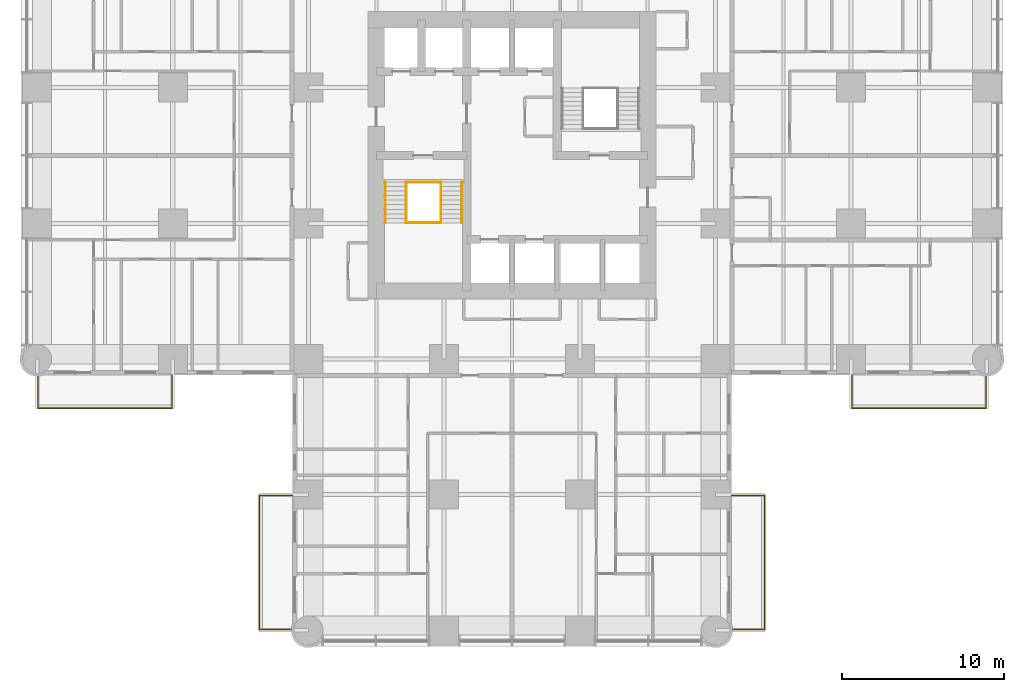
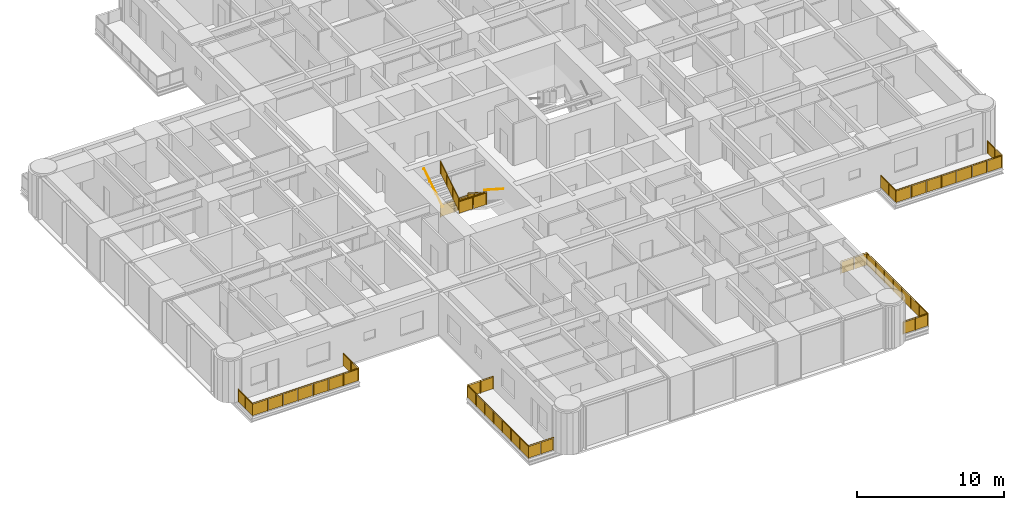
# One storey, part 16 of 17: 10 railings.
"""IFC4 building model written with IfcOpenShell, lengths in metres."""

from ifc_helpers import new_model, si_unit, direction, frame, origin, origin_2d, place, context, subcontext, project, spatial, polyline, circle, outline, extrude, material, constituent, constituent_set, type_object, element, save


model = new_model("IFC4")

# Units and contexts
model_context = context("Model", 3, precision=1e-05, world=origin(), true_north=direction((0.0, 1.0)))
body_context = subcontext(model_context, "Body", "Model", "MODEL_VIEW")
ifc_project = project(units=[si_unit("LENGTHUNIT", "METRE"), si_unit("AREAUNIT", "SQUARE_METRE"), si_unit("VOLUMEUNIT", "CUBIC_METRE"), si_unit("PLANEANGLEUNIT", "RADIAN"), si_unit("MASSUNIT", "GRAM", prefix="KILO")], contexts=[model_context])

# Site, building, storey
site_placement = place(None, origin())
site = spatial("IfcSite", under=ifc_project, at=site_placement, CompositionType="ELEMENT")
building_placement = place(site_placement, origin())
building = spatial("IfcBuilding", under=site, at=building_placement, Name="Torre Alcanfor", CompositionType="ELEMENT")
storey_placement = place(building_placement, frame((0.0, 0.0, 59.699951171875)))
storey = spatial("IfcBuildingStorey", under=building, at=storey_placement, Name="L14", CompositionType="ELEMENT", Elevation=59.699951171875)

# Railings
ifc_material_1 = material(Name="Laminated safety glass", Category="glass")
ifc_constituent_1 = constituent(ifc_material_1, Name="Infill")
ifc_material_2 = material(Name="Stainless steel ASTM A554 Grade MT 316L tube", Category="steel")
ifc_constituent_2 = constituent(ifc_material_2, Name="Posts and rail")
ifc_constituent_set = constituent_set(constituents=[ifc_constituent_1, ifc_constituent_2], Name="Balcony guard glass 1100")
railing_type_1 = type_object("IfcRailingType", Name="Balcony guard glass 1100", PredefinedType="BALUSTRADE", material=ifc_constituent_set)
railing_1_placement = place(storey_placement, frame((50.449951171875, 15.800048828125, 0.0)))
element("IfcRailing", 1, at=railing_1_placement, inside=storey, type_object=railing_type_1, Name="Balcony guard L14-E2", PredefinedType="BALUSTRADE", context=body_context, shape_type="SweptSolid", body=[
    extrude(circle(Radius=0.02392578125, at=origin_2d()), frame((0.0, 0.0, 1.076171875), z_axis=(0.0, -1.0, 0.0), x_axis=(1.0, 0.0, 0.0)), (0.0, 0.0, 1.0), 2.050048828125),
    extrude(circle(Radius=0.02392578125, at=origin_2d()), frame((0.0, -2.050048828125, 1.076171875), z_axis=(1.0, 0.0, 0.0), x_axis=(0.0, 1.0, 0.0)), (0.0, 0.0, 1.0), 8.300048828125),
    extrude(circle(Radius=0.02392578125, at=origin_2d()), frame((8.300048828125, -2.050048828125, 1.076171875), z_axis=(0.0, 1.0, 0.0), x_axis=(-1.0, 0.0, 0.0)), (0.0, 0.0, 1.0), 1.968994140625),
    extrude(circle(Radius=0.02099609375, at=origin_2d()), origin(), (0.0, 0.0, 1.0), 1.052001953125),
    extrude(circle(Radius=0.02099609375, at=origin_2d()), frame((0.0, -1.02490234375, 0.0)), (0.0, 0.0, 1.0), 1.052001953125),
    extrude(circle(Radius=0.02099609375, at=origin_2d()), frame((0.0, -2.050048828125, 0.0)), (0.0, 0.0, 1.0), 1.052001953125),
    extrude(circle(Radius=0.02099609375, at=origin_2d()), frame((1.185791015625, -2.050048828125, 0.0)), (0.0, 0.0, 1.0), 1.052001953125),
    extrude(circle(Radius=0.02099609375, at=origin_2d()), frame((2.371337890625, -2.050048828125, 0.0)), (0.0, 0.0, 1.0), 1.052001953125),
    extrude(circle(Radius=0.02099609375, at=origin_2d()), frame((3.55712890625, -2.050048828125, 0.0)), (0.0, 0.0, 1.0), 1.052001953125),
    extrude(circle(Radius=0.02099609375, at=origin_2d()), frame((4.742919921875, -2.050048828125, 0.0)), (0.0, 0.0, 1.0), 1.052001953125),
    extrude(circle(Radius=0.02099609375, at=origin_2d()), frame((5.9287109375, -2.050048828125, 0.0)), (0.0, 0.0, 1.0), 1.052001953125),
    extrude(circle(Radius=0.02099609375, at=origin_2d()), frame((7.1142578125, -2.050048828125, 0.0)), (0.0, 0.0, 1.0), 1.052001953125),
    extrude(circle(Radius=0.02099609375, at=origin_2d()), frame((8.300048828125, -2.050048828125, 0.0)), (0.0, 0.0, 1.0), 1.052001953125),
    extrude(circle(Radius=0.02099609375, at=origin_2d()), frame((8.300048828125, -1.0654296875, 0.0)), (0.0, 0.0, 1.0), 1.052001953125),
    extrude(circle(Radius=0.02099609375, at=origin_2d()), frame((8.300048828125, -0.0810546875, 0.0)), (0.0, 0.0, 1.0), 1.052001953125),
    extrude(outline(polyline([(0.041015625, 0.050048828125), (0.984130859375, 0.050048828125), (0.984130859375, 1.001953125), (0.041015625, 1.001953125), (0.041015625, 0.050048828125)])), frame((0.005859375, 0.0, 0.0), z_axis=(-1.0, 0.0, 0.0), x_axis=(0.0, -1.0, 0.0)), (0.0, 0.0, 1.0), 0.011962890625),
    extrude(outline(polyline([(1.06591796875, 0.050048828125), (2.009033203125, 0.050048828125), (2.009033203125, 1.001953125), (1.06591796875, 1.001953125), (1.06591796875, 0.050048828125)])), frame((0.005859375, 0.0, 0.0), z_axis=(-1.0, 0.0, 0.0), x_axis=(0.0, -1.0, 0.0)), (0.0, 0.0, 1.0), 0.011962890625),
    extrude(outline(polyline([(0.041015625, 0.050048828125), (1.144775390625, 0.050048828125), (1.144775390625, 1.001953125), (0.041015625, 1.001953125), (0.041015625, 0.050048828125)])), frame((0.0, -2.0439453125, 0.0), z_axis=(0.0, -1.0, 0.0), x_axis=(1.0, 0.0, 0.0)), (0.0, 0.0, 1.0), 0.011962890625),
    extrude(outline(polyline([(1.226806640625, 0.050048828125), (2.330322265625, 0.050048828125), (2.330322265625, 1.001953125), (1.226806640625, 1.001953125), (1.226806640625, 0.050048828125)])), frame((0.0, -2.0439453125, 0.0), z_axis=(0.0, -1.0, 0.0), x_axis=(1.0, 0.0, 0.0)), (0.0, 0.0, 1.0), 0.011962890625),
    extrude(outline(polyline([(2.412353515625, 0.050048828125), (3.51611328125, 0.050048828125), (3.51611328125, 1.001953125), (2.412353515625, 1.001953125), (2.412353515625, 0.050048828125)])), frame((0.0, -2.0439453125, 0.0), z_axis=(0.0, -1.0, 0.0), x_axis=(1.0, 0.0, 0.0)), (0.0, 0.0, 1.0), 0.011962890625),
    extrude(outline(polyline([(3.59814453125, 0.050048828125), (4.701904296875, 0.050048828125), (4.701904296875, 1.001953125), (3.59814453125, 1.001953125), (3.59814453125, 0.050048828125)])), frame((0.0, -2.0439453125, 0.0), z_axis=(0.0, -1.0, 0.0), x_axis=(1.0, 0.0, 0.0)), (0.0, 0.0, 1.0), 0.011962890625),
    extrude(outline(polyline([(4.783935546875, 0.050048828125), (5.8876953125, 0.050048828125), (5.8876953125, 1.001953125), (4.783935546875, 1.001953125), (4.783935546875, 0.050048828125)])), frame((0.0, -2.0439453125, 0.0), z_axis=(0.0, -1.0, 0.0), x_axis=(1.0, 0.0, 0.0)), (0.0, 0.0, 1.0), 0.011962890625),
    extrude(outline(polyline([(5.9697265625, 0.050048828125), (7.0732421875, 0.050048828125), (7.0732421875, 1.001953125), (5.9697265625, 1.001953125), (5.9697265625, 0.050048828125)])), frame((0.0, -2.0439453125, 0.0), z_axis=(0.0, -1.0, 0.0), x_axis=(1.0, 0.0, 0.0)), (0.0, 0.0, 1.0), 0.011962890625),
    extrude(outline(polyline([(7.1552734375, 0.050048828125), (8.259033203125, 0.050048828125), (8.259033203125, 1.001953125), (7.1552734375, 1.001953125), (7.1552734375, 0.050048828125)])), frame((0.0, -2.0439453125, 0.0), z_axis=(0.0, -1.0, 0.0), x_axis=(1.0, 0.0, 0.0)), (0.0, 0.0, 1.0), 0.011962890625),
    extrude(outline(polyline([(0.041015625, 0.050048828125), (0.943603515625, 0.050048828125), (0.943603515625, 1.001953125), (0.041015625, 1.001953125), (0.041015625, 0.050048828125)])), frame((8.2939453125, -2.050048828125, 0.0), z_axis=(1.0, 0.0, 0.0), x_axis=(0.0, 1.0, 0.0)), (0.0, 0.0, 1.0), 0.011962890625),
    extrude(outline(polyline([(1.025390625, 0.050048828125), (1.927978515625, 0.050048828125), (1.927978515625, 1.001953125), (1.025390625, 1.001953125), (1.025390625, 0.050048828125)])), frame((8.2939453125, -2.050048828125, 0.0), z_axis=(1.0, 0.0, 0.0), x_axis=(0.0, 1.0, 0.0)), (0.0, 0.0, 1.0), 0.011962890625),
])
railing_2_placement = place(storey_placement, frame((43.0, 8.35009765625, 0.0)))
element("IfcRailing", 2, at=railing_2_placement, inside=storey, type_object=railing_type_1, Name="Balcony guard L14-S1", PredefinedType="BALUSTRADE", context=body_context, shape_type="SweptSolid", body=[
    extrude(circle(Radius=0.02392578125, at=origin_2d()), frame((0.0, 0.0, 1.076171875), z_axis=(1.0, 0.0, 0.0), x_axis=(0.0, 1.0, 0.0)), (0.0, 0.0, 1.0), 2.050048828125),
    extrude(circle(Radius=0.02392578125, at=origin_2d()), frame((2.050048828125, 0.0, 1.076171875), z_axis=(0.0, -1.0, 0.0), x_axis=(1.0, 0.0, 0.0)), (0.0, 0.0, 1.0), 8.300048828125),
    extrude(circle(Radius=0.02392578125, at=origin_2d()), frame((2.050048828125, -8.300048828125, 1.076171875), z_axis=(-1.0, 0.0, 0.0), x_axis=(0.0, -1.0, 0.0)), (0.0, 0.0, 1.0), 1.968994140625),
    extrude(circle(Radius=0.02099609375, at=origin_2d()), origin(), (0.0, 0.0, 1.0), 1.052001953125),
    extrude(circle(Radius=0.02099609375, at=origin_2d()), frame((1.02490234375, 0.0, 0.0)), (0.0, 0.0, 1.0), 1.052001953125),
    extrude(circle(Radius=0.02099609375, at=origin_2d()), frame((2.050048828125, 0.0, 0.0)), (0.0, 0.0, 1.0), 1.052001953125),
    extrude(circle(Radius=0.02099609375, at=origin_2d()), frame((2.050048828125, -1.185791015625, 0.0)), (0.0, 0.0, 1.0), 1.052001953125),
    extrude(circle(Radius=0.02099609375, at=origin_2d()), frame((2.050048828125, -2.371337890625, 0.0)), (0.0, 0.0, 1.0), 1.052001953125),
    extrude(circle(Radius=0.02099609375, at=origin_2d()), frame((2.050048828125, -3.55712890625, 0.0)), (0.0, 0.0, 1.0), 1.052001953125),
    extrude(circle(Radius=0.02099609375, at=origin_2d()), frame((2.050048828125, -4.742919921875, 0.0)), (0.0, 0.0, 1.0), 1.052001953125),
    extrude(circle(Radius=0.02099609375, at=origin_2d()), frame((2.050048828125, -5.9287109375, 0.0)), (0.0, 0.0, 1.0), 1.052001953125),
    extrude(circle(Radius=0.02099609375, at=origin_2d()), frame((2.050048828125, -7.1142578125, 0.0)), (0.0, 0.0, 1.0), 1.052001953125),
    extrude(circle(Radius=0.02099609375, at=origin_2d()), frame((2.050048828125, -8.300048828125, 0.0)), (0.0, 0.0, 1.0), 1.052001953125),
    extrude(circle(Radius=0.02099609375, at=origin_2d()), frame((1.0654296875, -8.300048828125, 0.0)), (0.0, 0.0, 1.0), 1.052001953125),
    extrude(circle(Radius=0.02099609375, at=origin_2d()), frame((0.0810546875, -8.300048828125, 0.0)), (0.0, 0.0, 1.0), 1.052001953125),
    extrude(outline(polyline([(0.041015625, 0.050048828125), (0.984130859375, 0.050048828125), (0.984130859375, 1.001953125), (0.041015625, 1.001953125), (0.041015625, 0.050048828125)])), frame((0.0, 0.005859375, 0.0), z_axis=(0.0, -1.0, 0.0), x_axis=(1.0, 0.0, 0.0)), (0.0, 0.0, 1.0), 0.011962890625),
    extrude(outline(polyline([(1.06591796875, 0.050048828125), (2.009033203125, 0.050048828125), (2.009033203125, 1.001953125), (1.06591796875, 1.001953125), (1.06591796875, 0.050048828125)])), frame((0.0, 0.005859375, 0.0), z_axis=(0.0, -1.0, 0.0), x_axis=(1.0, 0.0, 0.0)), (0.0, 0.0, 1.0), 0.011962890625),
    extrude(outline(polyline([(0.041015625, 0.050048828125), (1.144775390625, 0.050048828125), (1.144775390625, 1.001953125), (0.041015625, 1.001953125), (0.041015625, 0.050048828125)])), frame((2.05615234375, 0.0, 0.0), z_axis=(-1.0, 0.0, 0.0), x_axis=(0.0, -1.0, 0.0)), (0.0, 0.0, 1.0), 0.011962890625),
    extrude(outline(polyline([(1.226806640625, 0.050048828125), (2.330322265625, 0.050048828125), (2.330322265625, 1.001953125), (1.226806640625, 1.001953125), (1.226806640625, 0.050048828125)])), frame((2.05615234375, 0.0, 0.0), z_axis=(-1.0, 0.0, 0.0), x_axis=(0.0, -1.0, 0.0)), (0.0, 0.0, 1.0), 0.011962890625),
    extrude(outline(polyline([(2.412353515625, 0.050048828125), (3.51611328125, 0.050048828125), (3.51611328125, 1.001953125), (2.412353515625, 1.001953125), (2.412353515625, 0.050048828125)])), frame((2.05615234375, 0.0, 0.0), z_axis=(-1.0, 0.0, 0.0), x_axis=(0.0, -1.0, 0.0)), (0.0, 0.0, 1.0), 0.011962890625),
    extrude(outline(polyline([(3.59814453125, 0.050048828125), (4.701904296875, 0.050048828125), (4.701904296875, 1.001953125), (3.59814453125, 1.001953125), (3.59814453125, 0.050048828125)])), frame((2.05615234375, 0.0, 0.0), z_axis=(-1.0, 0.0, 0.0), x_axis=(0.0, -1.0, 0.0)), (0.0, 0.0, 1.0), 0.011962890625),
    extrude(outline(polyline([(4.783935546875, 0.050048828125), (5.8876953125, 0.050048828125), (5.8876953125, 1.001953125), (4.783935546875, 1.001953125), (4.783935546875, 0.050048828125)])), frame((2.05615234375, 0.0, 0.0), z_axis=(-1.0, 0.0, 0.0), x_axis=(0.0, -1.0, 0.0)), (0.0, 0.0, 1.0), 0.011962890625),
    extrude(outline(polyline([(5.9697265625, 0.050048828125), (7.0732421875, 0.050048828125), (7.0732421875, 1.001953125), (5.9697265625, 1.001953125), (5.9697265625, 0.050048828125)])), frame((2.05615234375, 0.0, 0.0), z_axis=(-1.0, 0.0, 0.0), x_axis=(0.0, -1.0, 0.0)), (0.0, 0.0, 1.0), 0.011962890625),
    extrude(outline(polyline([(7.1552734375, 0.050048828125), (8.259033203125, 0.050048828125), (8.259033203125, 1.001953125), (7.1552734375, 1.001953125), (7.1552734375, 0.050048828125)])), frame((2.05615234375, 0.0, 0.0), z_axis=(-1.0, 0.0, 0.0), x_axis=(0.0, -1.0, 0.0)), (0.0, 0.0, 1.0), 0.011962890625),
    extrude(outline(polyline([(0.041015625, 0.050048828125), (0.943603515625, 0.050048828125), (0.943603515625, 1.001953125), (0.041015625, 1.001953125), (0.041015625, 0.050048828125)])), frame((2.050048828125, -8.30615234375, 0.0), z_axis=(0.0, 1.0, 0.0), x_axis=(-1.0, 0.0, 0.0)), (0.0, 0.0, 1.0), 0.011962890625),
    extrude(outline(polyline([(1.025390625, 0.050048828125), (1.927978515625, 0.050048828125), (1.927978515625, 1.001953125), (1.025390625, 1.001953125), (1.025390625, 0.050048828125)])), frame((2.050048828125, -8.30615234375, 0.0), z_axis=(0.0, 1.0, 0.0), x_axis=(-1.0, 0.0, 0.0)), (0.0, 0.0, 1.0), 0.011962890625),
])
railing_3_placement = place(storey_placement, frame((15.800048828125, 8.35009765625, 0.0)))
element("IfcRailing", 3, at=railing_3_placement, inside=storey, type_object=railing_type_1, Name="Balcony guard L14-S2", PredefinedType="BALUSTRADE", context=body_context, shape_type="SweptSolid", body=[
    extrude(circle(Radius=0.02392578125, at=origin_2d()), frame((0.0, 0.0, 1.076171875), z_axis=(-1.0, 0.0, 0.0), x_axis=(0.0, -1.0, 0.0)), (0.0, 0.0, 1.0), 2.050048828125),
    extrude(circle(Radius=0.02392578125, at=origin_2d()), frame((-2.050048828125, 0.0, 1.076171875), z_axis=(0.0, -1.0, 0.0), x_axis=(1.0, 0.0, 0.0)), (0.0, 0.0, 1.0), 8.300048828125),
    extrude(circle(Radius=0.02392578125, at=origin_2d()), frame((-2.050048828125, -8.300048828125, 1.076171875), z_axis=(1.0, 0.0, 0.0), x_axis=(0.0, 1.0, 0.0)), (0.0, 0.0, 1.0), 1.968994140625),
    extrude(circle(Radius=0.02099609375, at=origin_2d()), origin(), (0.0, 0.0, 1.0), 1.052001953125),
    extrude(circle(Radius=0.02099609375, at=origin_2d()), frame((-1.02490234375, 0.0, 0.0)), (0.0, 0.0, 1.0), 1.052001953125),
    extrude(circle(Radius=0.02099609375, at=origin_2d()), frame((-2.050048828125, 0.0, 0.0)), (0.0, 0.0, 1.0), 1.052001953125),
    extrude(circle(Radius=0.02099609375, at=origin_2d()), frame((-2.050048828125, -1.185791015625, 0.0)), (0.0, 0.0, 1.0), 1.052001953125),
    extrude(circle(Radius=0.02099609375, at=origin_2d()), frame((-2.050048828125, -2.371337890625, 0.0)), (0.0, 0.0, 1.0), 1.052001953125),
    extrude(circle(Radius=0.02099609375, at=origin_2d()), frame((-2.050048828125, -3.55712890625, 0.0)), (0.0, 0.0, 1.0), 1.052001953125),
    extrude(circle(Radius=0.02099609375, at=origin_2d()), frame((-2.050048828125, -4.742919921875, 0.0)), (0.0, 0.0, 1.0), 1.052001953125),
    extrude(circle(Radius=0.02099609375, at=origin_2d()), frame((-2.050048828125, -5.9287109375, 0.0)), (0.0, 0.0, 1.0), 1.052001953125),
    extrude(circle(Radius=0.02099609375, at=origin_2d()), frame((-2.050048828125, -7.1142578125, 0.0)), (0.0, 0.0, 1.0), 1.052001953125),
    extrude(circle(Radius=0.02099609375, at=origin_2d()), frame((-2.050048828125, -8.300048828125, 0.0)), (0.0, 0.0, 1.0), 1.052001953125),
    extrude(circle(Radius=0.02099609375, at=origin_2d()), frame((-1.0654296875, -8.300048828125, 0.0)), (0.0, 0.0, 1.0), 1.052001953125),
    extrude(circle(Radius=0.02099609375, at=origin_2d()), frame((-0.0810546875, -8.300048828125, 0.0)), (0.0, 0.0, 1.0), 1.052001953125),
    extrude(outline(polyline([(0.041015625, 0.050048828125), (0.984130859375, 0.050048828125), (0.984130859375, 1.001953125), (0.041015625, 1.001953125), (0.041015625, 0.050048828125)])), frame((0.0, -0.005859375, 0.0), z_axis=(0.0, 1.0, 0.0), x_axis=(-1.0, 0.0, 0.0)), (0.0, 0.0, 1.0), 0.011962890625),
    extrude(outline(polyline([(1.06591796875, 0.050048828125), (2.009033203125, 0.050048828125), (2.009033203125, 1.001953125), (1.06591796875, 1.001953125), (1.06591796875, 0.050048828125)])), frame((0.0, -0.005859375, 0.0), z_axis=(0.0, 1.0, 0.0), x_axis=(-1.0, 0.0, 0.0)), (0.0, 0.0, 1.0), 0.011962890625),
    extrude(outline(polyline([(0.041015625, 0.050048828125), (1.144775390625, 0.050048828125), (1.144775390625, 1.001953125), (0.041015625, 1.001953125), (0.041015625, 0.050048828125)])), frame((-2.0439453125, 0.0, 0.0), z_axis=(-1.0, 0.0, 0.0), x_axis=(0.0, -1.0, 0.0)), (0.0, 0.0, 1.0), 0.011962890625),
    extrude(outline(polyline([(1.226806640625, 0.050048828125), (2.330322265625, 0.050048828125), (2.330322265625, 1.001953125), (1.226806640625, 1.001953125), (1.226806640625, 0.050048828125)])), frame((-2.0439453125, 0.0, 0.0), z_axis=(-1.0, 0.0, 0.0), x_axis=(0.0, -1.0, 0.0)), (0.0, 0.0, 1.0), 0.011962890625),
    extrude(outline(polyline([(2.412353515625, 0.050048828125), (3.51611328125, 0.050048828125), (3.51611328125, 1.001953125), (2.412353515625, 1.001953125), (2.412353515625, 0.050048828125)])), frame((-2.0439453125, 0.0, 0.0), z_axis=(-1.0, 0.0, 0.0), x_axis=(0.0, -1.0, 0.0)), (0.0, 0.0, 1.0), 0.011962890625),
    extrude(outline(polyline([(3.59814453125, 0.050048828125), (4.701904296875, 0.050048828125), (4.701904296875, 1.001953125), (3.59814453125, 1.001953125), (3.59814453125, 0.050048828125)])), frame((-2.0439453125, 0.0, 0.0), z_axis=(-1.0, 0.0, 0.0), x_axis=(0.0, -1.0, 0.0)), (0.0, 0.0, 1.0), 0.011962890625),
    extrude(outline(polyline([(4.783935546875, 0.050048828125), (5.8876953125, 0.050048828125), (5.8876953125, 1.001953125), (4.783935546875, 1.001953125), (4.783935546875, 0.050048828125)])), frame((-2.0439453125, 0.0, 0.0), z_axis=(-1.0, 0.0, 0.0), x_axis=(0.0, -1.0, 0.0)), (0.0, 0.0, 1.0), 0.011962890625),
    extrude(outline(polyline([(5.9697265625, 0.050048828125), (7.0732421875, 0.050048828125), (7.0732421875, 1.001953125), (5.9697265625, 1.001953125), (5.9697265625, 0.050048828125)])), frame((-2.0439453125, 0.0, 0.0), z_axis=(-1.0, 0.0, 0.0), x_axis=(0.0, -1.0, 0.0)), (0.0, 0.0, 1.0), 0.011962890625),
    extrude(outline(polyline([(7.1552734375, 0.050048828125), (8.259033203125, 0.050048828125), (8.259033203125, 1.001953125), (7.1552734375, 1.001953125), (7.1552734375, 0.050048828125)])), frame((-2.0439453125, 0.0, 0.0), z_axis=(-1.0, 0.0, 0.0), x_axis=(0.0, -1.0, 0.0)), (0.0, 0.0, 1.0), 0.011962890625),
    extrude(outline(polyline([(0.041015625, 0.050048828125), (0.943603515625, 0.050048828125), (0.943603515625, 1.001953125), (0.041015625, 1.001953125), (0.041015625, 0.050048828125)])), frame((-2.050048828125, -8.2939453125, 0.0), z_axis=(0.0, -1.0, 0.0), x_axis=(1.0, 0.0, 0.0)), (0.0, 0.0, 1.0), 0.011962890625),
    extrude(outline(polyline([(1.025390625, 0.050048828125), (1.927978515625, 0.050048828125), (1.927978515625, 1.001953125), (1.025390625, 1.001953125), (1.025390625, 0.050048828125)])), frame((-2.050048828125, -8.2939453125, 0.0), z_axis=(0.0, -1.0, 0.0), x_axis=(1.0, 0.0, 0.0)), (0.0, 0.0, 1.0), 0.011962890625),
])
railing_4_placement = place(storey_placement, frame((8.35009765625, 15.800048828125, 0.0)))
element("IfcRailing", 4, at=railing_4_placement, inside=storey, type_object=railing_type_1, Name="Balcony guard L14-W1", PredefinedType="BALUSTRADE", context=body_context, shape_type="SweptSolid", body=[
    extrude(circle(Radius=0.02392578125, at=origin_2d()), frame((0.0, 0.0, 1.076171875), z_axis=(0.0, -1.0, 0.0), x_axis=(1.0, 0.0, 0.0)), (0.0, 0.0, 1.0), 2.050048828125),
    extrude(circle(Radius=0.02392578125, at=origin_2d()), frame((0.0, -2.050048828125, 1.076171875), z_axis=(-1.0, 0.0, 0.0), x_axis=(0.0, -1.0, 0.0)), (0.0, 0.0, 1.0), 8.300048828125),
    extrude(circle(Radius=0.02392578125, at=origin_2d()), frame((-8.300048828125, -2.050048828125, 1.076171875), z_axis=(0.0, 1.0, 0.0), x_axis=(-1.0, 0.0, 0.0)), (0.0, 0.0, 1.0), 1.968994140625),
    extrude(circle(Radius=0.02099609375, at=origin_2d()), origin(), (0.0, 0.0, 1.0), 1.052001953125),
    extrude(circle(Radius=0.02099609375, at=origin_2d()), frame((0.0, -1.02490234375, 0.0)), (0.0, 0.0, 1.0), 1.052001953125),
    extrude(circle(Radius=0.02099609375, at=origin_2d()), frame((0.0, -2.050048828125, 0.0)), (0.0, 0.0, 1.0), 1.052001953125),
    extrude(circle(Radius=0.02099609375, at=origin_2d()), frame((-1.185791015625, -2.050048828125, 0.0)), (0.0, 0.0, 1.0), 1.052001953125),
    extrude(circle(Radius=0.02099609375, at=origin_2d()), frame((-2.371337890625, -2.050048828125, 0.0)), (0.0, 0.0, 1.0), 1.052001953125),
    extrude(circle(Radius=0.02099609375, at=origin_2d()), frame((-3.55712890625, -2.050048828125, 0.0)), (0.0, 0.0, 1.0), 1.052001953125),
    extrude(circle(Radius=0.02099609375, at=origin_2d()), frame((-4.742919921875, -2.050048828125, 0.0)), (0.0, 0.0, 1.0), 1.052001953125),
    extrude(circle(Radius=0.02099609375, at=origin_2d()), frame((-5.9287109375, -2.050048828125, 0.0)), (0.0, 0.0, 1.0), 1.052001953125),
    extrude(circle(Radius=0.02099609375, at=origin_2d()), frame((-7.1142578125, -2.050048828125, 0.0)), (0.0, 0.0, 1.0), 1.052001953125),
    extrude(circle(Radius=0.02099609375, at=origin_2d()), frame((-8.300048828125, -2.050048828125, 0.0)), (0.0, 0.0, 1.0), 1.052001953125),
    extrude(circle(Radius=0.02099609375, at=origin_2d()), frame((-8.300048828125, -1.0654296875, 0.0)), (0.0, 0.0, 1.0), 1.052001953125),
    extrude(circle(Radius=0.02099609375, at=origin_2d()), frame((-8.300048828125, -0.0810546875, 0.0)), (0.0, 0.0, 1.0), 1.052001953125),
    extrude(outline(polyline([(0.041015625, 0.050048828125), (0.984130859375, 0.050048828125), (0.984130859375, 1.001953125), (0.041015625, 1.001953125), (0.041015625, 0.050048828125)])), frame((0.005859375, 0.0, 0.0), z_axis=(-1.0, 0.0, 0.0), x_axis=(0.0, -1.0, 0.0)), (0.0, 0.0, 1.0), 0.011962890625),
    extrude(outline(polyline([(1.06591796875, 0.050048828125), (2.009033203125, 0.050048828125), (2.009033203125, 1.001953125), (1.06591796875, 1.001953125), (1.06591796875, 0.050048828125)])), frame((0.005859375, 0.0, 0.0), z_axis=(-1.0, 0.0, 0.0), x_axis=(0.0, -1.0, 0.0)), (0.0, 0.0, 1.0), 0.011962890625),
    extrude(outline(polyline([(0.041015625, 0.050048828125), (1.144775390625, 0.050048828125), (1.144775390625, 1.001953125), (0.041015625, 1.001953125), (0.041015625, 0.050048828125)])), frame((0.0, -2.05615234375, 0.0), z_axis=(0.0, 1.0, 0.0), x_axis=(-1.0, 0.0, 0.0)), (0.0, 0.0, 1.0), 0.011962890625),
    extrude(outline(polyline([(1.226806640625, 0.050048828125), (2.330322265625, 0.050048828125), (2.330322265625, 1.001953125), (1.226806640625, 1.001953125), (1.226806640625, 0.050048828125)])), frame((0.0, -2.05615234375, 0.0), z_axis=(0.0, 1.0, 0.0), x_axis=(-1.0, 0.0, 0.0)), (0.0, 0.0, 1.0), 0.011962890625),
    extrude(outline(polyline([(2.412353515625, 0.050048828125), (3.51611328125, 0.050048828125), (3.51611328125, 1.001953125), (2.412353515625, 1.001953125), (2.412353515625, 0.050048828125)])), frame((0.0, -2.05615234375, 0.0), z_axis=(0.0, 1.0, 0.0), x_axis=(-1.0, 0.0, 0.0)), (0.0, 0.0, 1.0), 0.011962890625),
    extrude(outline(polyline([(3.59814453125, 0.050048828125), (4.701904296875, 0.050048828125), (4.701904296875, 1.001953125), (3.59814453125, 1.001953125), (3.59814453125, 0.050048828125)])), frame((0.0, -2.05615234375, 0.0), z_axis=(0.0, 1.0, 0.0), x_axis=(-1.0, 0.0, 0.0)), (0.0, 0.0, 1.0), 0.011962890625),
    extrude(outline(polyline([(4.783935546875, 0.050048828125), (5.8876953125, 0.050048828125), (5.8876953125, 1.001953125), (4.783935546875, 1.001953125), (4.783935546875, 0.050048828125)])), frame((0.0, -2.05615234375, 0.0), z_axis=(0.0, 1.0, 0.0), x_axis=(-1.0, 0.0, 0.0)), (0.0, 0.0, 1.0), 0.011962890625),
    extrude(outline(polyline([(5.9697265625, 0.050048828125), (7.0732421875, 0.050048828125), (7.0732421875, 1.001953125), (5.9697265625, 1.001953125), (5.9697265625, 0.050048828125)])), frame((0.0, -2.05615234375, 0.0), z_axis=(0.0, 1.0, 0.0), x_axis=(-1.0, 0.0, 0.0)), (0.0, 0.0, 1.0), 0.011962890625),
    extrude(outline(polyline([(7.1552734375, 0.050048828125), (8.259033203125, 0.050048828125), (8.259033203125, 1.001953125), (7.1552734375, 1.001953125), (7.1552734375, 0.050048828125)])), frame((0.0, -2.05615234375, 0.0), z_axis=(0.0, 1.0, 0.0), x_axis=(-1.0, 0.0, 0.0)), (0.0, 0.0, 1.0), 0.011962890625),
    extrude(outline(polyline([(0.041015625, 0.050048828125), (0.943603515625, 0.050048828125), (0.943603515625, 1.001953125), (0.041015625, 1.001953125), (0.041015625, 0.050048828125)])), frame((-8.30615234375, -2.050048828125, 0.0), z_axis=(1.0, 0.0, 0.0), x_axis=(0.0, 1.0, 0.0)), (0.0, 0.0, 1.0), 0.011962890625),
    extrude(outline(polyline([(1.025390625, 0.050048828125), (1.927978515625, 0.050048828125), (1.927978515625, 1.001953125), (1.025390625, 1.001953125), (1.025390625, 0.050048828125)])), frame((-8.30615234375, -2.050048828125, 0.0), z_axis=(1.0, 0.0, 0.0), x_axis=(0.0, 1.0, 0.0)), (0.0, 0.0, 1.0), 0.011962890625),
])
ifc_material_3 = material(Name="Steel ASTM A500 Grade C hollow sections", Category="steel")
railing_type_2 = type_object("IfcRailingType", Name="Stair guard and handrail 1100", PredefinedType="GUARDRAIL", material=ifc_material_3)
railing_5_placement = place(storey_placement, frame((25.0, 27.75, 0.179931640625)))
element("IfcRailing", 5, at=railing_5_placement, inside=storey, type_object=railing_type_2, Name="Stair guard S1 L14 flight 1", PredefinedType="GUARDRAIL", context=body_context, shape_type="SweptSolid", body=[
    extrude(circle(Radius=0.02392578125, at=origin_2d()), frame((0.0, 0.0, 1.076171875), z_axis=(0.0, -0.841162588446, 0.540782303519), x_axis=(1.0, 0.0, 0.0)), (0.0, 0.0, 1.0), 2.995849609375),
    extrude(circle(Radius=0.02099609375, at=origin_2d()), origin(), (0.0, 0.0, 1.0), 1.052001953125),
    extrude(circle(Radius=0.02099609375, at=origin_2d()), frame((0.0, -0.840087890625, 0.5400390625)), (0.0, 0.0, 1.0), 1.052001953125),
    extrude(circle(Radius=0.02099609375, at=origin_2d()), frame((0.0, -1.679931640625, 1.080078125)), (0.0, 0.0, 1.0), 1.052001953125),
    extrude(circle(Radius=0.02099609375, at=origin_2d()), frame((0.0, -2.52001953125, 1.6201171875)), (0.0, 0.0, 1.0), 1.052001953125),
    extrude(outline(polyline([(0.041015625, 0.076416015625), (0.799072265625, 0.563720703125), (0.799072265625, 1.515625), (0.041015625, 1.0283203125), (0.041015625, 0.076416015625)])), frame((0.005859375, 0.0, 0.0), z_axis=(-1.0, 0.0, 0.0), x_axis=(0.0, -1.0, 0.0)), (0.0, 0.0, 1.0), 0.011962890625),
    extrude(outline(polyline([(0.881103515625, 0.616455078125), (1.638916015625, 1.103759765625), (1.638916015625, 2.0556640625), (0.881103515625, 1.568359375), (0.881103515625, 0.616455078125)])), frame((0.005859375, 0.0, 0.0), z_axis=(-1.0, 0.0, 0.0), x_axis=(0.0, -1.0, 0.0)), (0.0, 0.0, 1.0), 0.011962890625),
    extrude(outline(polyline([(1.720947265625, 1.156494140625), (2.47900390625, 1.643798828125), (2.47900390625, 2.595703125), (1.720947265625, 2.1083984375), (1.720947265625, 1.156494140625)])), frame((0.005859375, 0.0, 0.0), z_axis=(-1.0, 0.0, 0.0), x_axis=(0.0, -1.0, 0.0)), (0.0, 0.0, 1.0), 0.011962890625),
])
railing_6_placement = place(storey_placement, frame((22.85009765625, 25.22998046875, 1.97998046875)))
element("IfcRailing", 6, at=railing_6_placement, inside=storey, type_object=railing_type_2, Name="Stair guard S1 L14 flight 2", PredefinedType="GUARDRAIL", context=body_context, shape_type="SweptSolid", body=[
    extrude(circle(Radius=0.02392578125, at=origin_2d()), frame((0.0, 0.0, 1.076171875), z_axis=(0.0, 0.841162588446, 0.540782303519), x_axis=(-1.0, 0.0, 0.0)), (0.0, 0.0, 1.0), 2.995849609375),
    extrude(circle(Radius=0.02099609375, at=origin_2d()), origin(), (0.0, 0.0, 1.0), 1.052001953125),
    extrude(circle(Radius=0.02099609375, at=origin_2d()), frame((0.0, 0.840087890625, 0.5400390625)), (0.0, 0.0, 1.0), 1.052001953125),
    extrude(circle(Radius=0.02099609375, at=origin_2d()), frame((0.0, 1.679931640625, 1.080078125)), (0.0, 0.0, 1.0), 1.052001953125),
    extrude(circle(Radius=0.02099609375, at=origin_2d()), frame((0.0, 2.52001953125, 1.6201171875)), (0.0, 0.0, 1.0), 1.052001953125),
    extrude(outline(polyline([(0.041015625, 0.076416015625), (0.799072265625, 0.563720703125), (0.799072265625, 1.515625), (0.041015625, 1.0283203125), (0.041015625, 0.076416015625)])), frame((-0.005859375, 0.0, 0.0), z_axis=(1.0, 0.0, 0.0), x_axis=(0.0, 1.0, 0.0)), (0.0, 0.0, 1.0), 0.011962890625),
    extrude(outline(polyline([(0.881103515625, 0.616455078125), (1.638916015625, 1.103759765625), (1.638916015625, 2.0556640625), (0.881103515625, 1.568359375), (0.881103515625, 0.616455078125)])), frame((-0.005859375, 0.0, 0.0), z_axis=(1.0, 0.0, 0.0), x_axis=(0.0, 1.0, 0.0)), (0.0, 0.0, 1.0), 0.011962890625),
    extrude(outline(polyline([(1.720947265625, 1.156494140625), (2.47900390625, 1.643798828125), (2.47900390625, 2.595703125), (1.720947265625, 2.1083984375), (1.720947265625, 1.156494140625)])), frame((-0.005859375, 0.0, 0.0), z_axis=(1.0, 0.0, 0.0), x_axis=(0.0, 1.0, 0.0)), (0.0, 0.0, 1.0), 0.011962890625),
])
for number, where, name in (
    (7, (22.85009765625, 27.75, 0.0), "Stair well guard S1 L14 floor landing"),
    (8, (22.85009765625, 25.22998046875, 1.800048828125), "Stair well guard S1 L14 half landing"),
):
    element("IfcRailing", number, at=place(storey_placement, frame(where)), inside=storey, type_object=railing_type_2, Name=name, PredefinedType="GUARDRAIL", context=body_context, shape_type="SweptSolid", body=[
        extrude(circle(Radius=0.02392578125, at=origin_2d()), frame((0.0, 0.0, 1.076171875), z_axis=(1.0, 0.0, 0.0), x_axis=(0.0, 1.0, 0.0)), (0.0, 0.0, 1.0), 2.14990234375),
        extrude(circle(Radius=0.02099609375, at=origin_2d()), origin(), (0.0, 0.0, 1.0), 1.052001953125),
        extrude(circle(Radius=0.02099609375, at=origin_2d()), frame((1.074951171875, 0.0, 0.0)), (0.0, 0.0, 1.0), 1.052001953125),
        extrude(circle(Radius=0.02099609375, at=origin_2d()), frame((2.14990234375, 0.0, 0.0)), (0.0, 0.0, 1.0), 1.052001953125),
        extrude(outline(polyline([(0.041015625, 0.050048828125), (1.033935546875, 0.050048828125), (1.033935546875, 1.001953125), (0.041015625, 1.001953125), (0.041015625, 0.050048828125)])), frame((0.0, 0.005859375, 0.0), z_axis=(0.0, -1.0, 0.0), x_axis=(1.0, 0.0, 0.0)), (0.0, 0.0, 1.0), 0.011962890625),
        extrude(outline(polyline([(1.115966796875, 0.050048828125), (2.10888671875, 0.050048828125), (2.10888671875, 1.001953125), (1.115966796875, 1.001953125), (1.115966796875, 0.050048828125)])), frame((0.0, 0.005859375, 0.0), z_axis=(0.0, -1.0, 0.0), x_axis=(1.0, 0.0, 0.0)), (0.0, 0.0, 1.0), 0.011962890625),
    ])
ifc_material_4 = material(Name="Steel ASTM A500 Grade C hollow sections", Category="steel")
railing_type_3 = type_object("IfcRailingType", Name="Stair wall handrail 900", PredefinedType="HANDRAIL", material=ifc_material_4)
railing_7_placement = place(storey_placement, frame((26.284912109375, 27.75, 0.179931640625)))
element("IfcRailing", 9, at=railing_7_placement, inside=storey, type_object=railing_type_3, Name="Stair handrail S1 L14 flight 1", PredefinedType="HANDRAIL", context=body_context, shape_type="SweptSolid", body=[
    extrude(circle(Radius=0.02392578125, at=origin_2d()), frame((0.0, 0.0, 0.8759765625), z_axis=(0.0, -0.841162588446, 0.540782303519), x_axis=(1.0, 0.0, 0.0)), (0.0, 0.0, 1.0), 2.995849609375),
    extrude(circle(Radius=0.008056640625, at=origin_2d()), frame((0.0, 0.0, 0.8759765625), z_axis=(1.0, 0.0, 0.0), x_axis=(0.0, 0.0, 1.0)), (0.0, 0.0, 1.0), 0.06494140625),
    extrude(circle(Radius=0.008056640625, at=origin_2d()), frame((0.0, -0.840087890625, 1.416015625), z_axis=(1.0, 0.0, 0.0), x_axis=(0.0, 0.0, 1.0)), (0.0, 0.0, 1.0), 0.06494140625),
    extrude(circle(Radius=0.008056640625, at=origin_2d()), frame((0.0, -1.679931640625, 1.9560546875), z_axis=(1.0, 0.0, 0.0), x_axis=(0.0, 0.0, 1.0)), (0.0, 0.0, 1.0), 0.06494140625),
    extrude(circle(Radius=0.008056640625, at=origin_2d()), frame((0.0, -2.52001953125, 2.49609375), z_axis=(1.0, 0.0, 0.0), x_axis=(0.0, 0.0, 1.0)), (0.0, 0.0, 1.0), 0.06494140625),
])
railing_8_placement = place(storey_placement, frame((21.56494140625, 25.22998046875, 1.97998046875)))
element("IfcRailing", 10, at=railing_8_placement, inside=storey, type_object=railing_type_3, Name="Stair handrail S1 L14 flight 2", PredefinedType="HANDRAIL", context=body_context, shape_type="SweptSolid", body=[
    extrude(circle(Radius=0.02392578125, at=origin_2d()), frame((0.0, 0.0, 0.8759765625), z_axis=(0.0, 0.841162588446, 0.540782303519), x_axis=(-1.0, 0.0, 0.0)), (0.0, 0.0, 1.0), 2.995849609375),
    extrude(circle(Radius=0.008056640625, at=origin_2d()), frame((0.0, 0.0, 0.8759765625), z_axis=(-1.0, 0.0, 0.0), x_axis=(0.0, 0.0, 1.0)), (0.0, 0.0, 1.0), 0.06494140625),
    extrude(circle(Radius=0.008056640625, at=origin_2d()), frame((0.0, 0.840087890625, 1.416015625), z_axis=(-1.0, 0.0, 0.0), x_axis=(0.0, 0.0, 1.0)), (0.0, 0.0, 1.0), 0.06494140625),
    extrude(circle(Radius=0.008056640625, at=origin_2d()), frame((0.0, 1.679931640625, 1.9560546875), z_axis=(-1.0, 0.0, 0.0), x_axis=(0.0, 0.0, 1.0)), (0.0, 0.0, 1.0), 0.06494140625),
    extrude(circle(Radius=0.008056640625, at=origin_2d()), frame((0.0, 2.52001953125, 2.49609375), z_axis=(-1.0, 0.0, 0.0), x_axis=(0.0, 0.0, 1.0)), (0.0, 0.0, 1.0), 0.06494140625),
])

save(model, "model.ifc")
